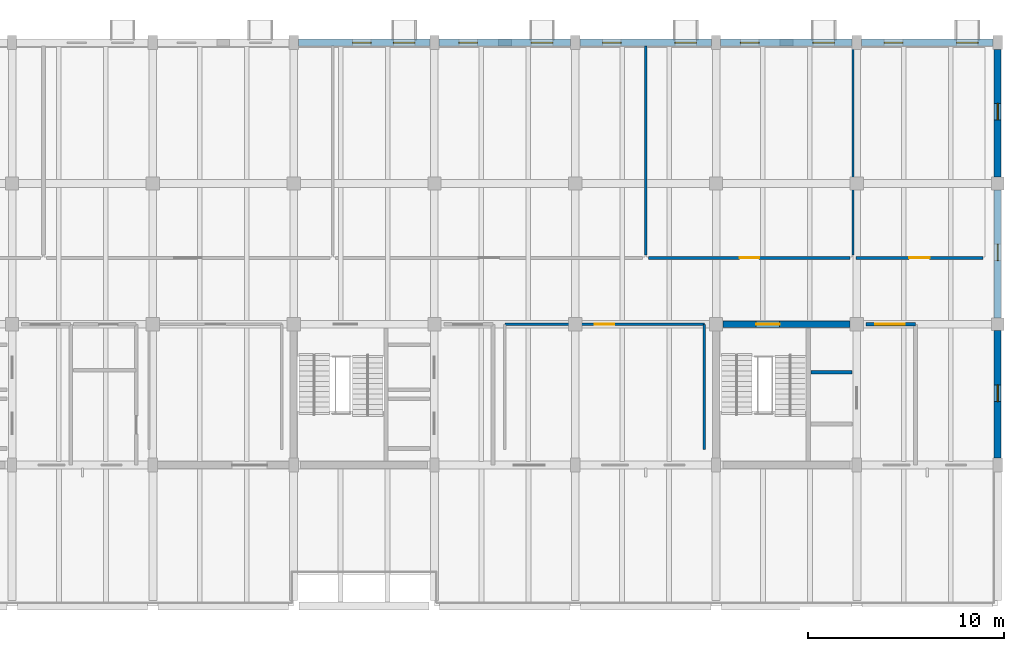
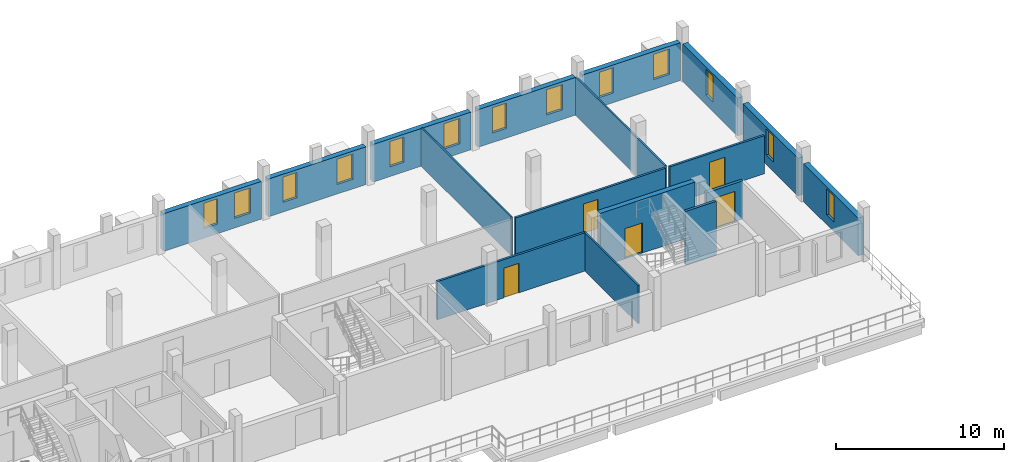
# One storey, part 11 of 14: 17 walls, 13 windows, 5 doors, 18 openings.
"""IFC4 building model written with IfcOpenShell, lengths in metres."""

from ifc_helpers import new_model, si_unit, direction, frame, frame_2d, origin, place, context, subcontext, project, spatial, rectangle, extrude, material, layer, layer_set, type_object, element, fill, save


model = new_model("IFC4")

# Units and contexts
model_context = context("Model", 3, precision=1e-05, world=origin(), true_north=direction((0.0, 1.0)))
body_context = subcontext(model_context, "Body", "Model", "MODEL_VIEW")
ifc_project = project(units=[si_unit("LENGTHUNIT", "METRE"), si_unit("AREAUNIT", "SQUARE_METRE"), si_unit("VOLUMEUNIT", "CUBIC_METRE"), si_unit("PLANEANGLEUNIT", "RADIAN"), si_unit("MASSUNIT", "GRAM", prefix="KILO")], contexts=[model_context])

# Site, building, storey
site_placement = place(None, origin())
site = spatial("IfcSite", under=ifc_project, at=site_placement, CompositionType="ELEMENT")
building_placement = place(site_placement, origin())
building = spatial("IfcBuilding", under=site, at=building_placement, Name="Qiaolan Assembly House", CompositionType="ELEMENT")
storey_placement = place(building_placement, frame((0.0, 0.0, 22.5)))
storey = spatial("IfcBuildingStorey", under=building, at=storey_placement, Name="L05", CompositionType="ELEMENT", Elevation=22.5)

# Wall, opening, door
ifc_material_1 = material(Name="Concrete C40/50", Category="concrete")
ifc_layer_1 = layer(ifc_material_1, 0.35009765625)
ifc_layer_set_1 = layer_set([ifc_layer_1], Name="Concrete C40/50")
wall_type_1 = type_object("IfcWallType", Name="WAL-CORE-350", PredefinedType="SHEAR", material=ifc_layer_set_1)
wall_1_placement = place(storey_placement, frame((93.25, 100.800048828125, 0.0), z_axis=(0.0, 0.0, 1.0), x_axis=(-1.0, 0.0, 0.0)))
wall_1 = element("IfcWall", 1, at=wall_1_placement, inside=storey, type_object=wall_type_1, Name="CW-350 shear core wall CORE-G N L05", PredefinedType="SHEAR", context=body_context, shape_type="SweptSolid", body=[
    extrude(rectangle(XDim=6.5, YDim=0.35009765625, at=frame_2d((3.25, 0.0))), origin(), (0.0, 0.0, 1.0), 3.89990234375),
])
opening_1_placement = place(wall_1_placement, frame((3.60009765625, 0.0, 0.0)))
opening_1 = element("IfcOpeningElement", 2, at=opening_1_placement, cuts=wall_1, Name="Opening FD-065", PredefinedType="OPENING", context=body_context, shape_type="SweptSolid", body=[
    extrude(rectangle(XDim=1.199951171875, YDim=2.199951171875, at=frame_2d((0.60009765625, 1.10009765625))), frame((0.0, 0.18505859375, 0.0), z_axis=(0.0, -1.0, 0.0), x_axis=(1.0, 0.0, 0.0)), (0.0, 0.0, 1.0), 0.3701171875),
])
ifc_material_2 = material(Name="Steel Q355B", Category="steel")
door_type_1 = type_object("IfcDoorType", Name="DOR-FIRE-FD90-1200", OperationType="NOTDEFINED", PredefinedType="DOOR", material=ifc_material_2)
door_1_placement = place(opening_1_placement, frame((1.199951171875, 0.0, 0.0), z_axis=(0.0, 0.0, 1.0), x_axis=(-1.0, 0.0, 0.0)))
door_1 = element("IfcDoor", 3, at=door_1_placement, inside=storey, type_object=door_type_1, Name="Stairwell fire door FD-065 (CORE-G L05)", OperationType="SINGLE_SWING_RIGHT", OverallHeight=2.199951171875, OverallWidth=1.199951171875, PredefinedType="DOOR", context=body_context, shape_type="SweptSolid", body=[
    extrude(rectangle(XDim=1.199951171875, YDim=2.199951171875, at=frame_2d((0.60009765625, 1.10009765625))), frame((0.0, 0.02490234375, 0.0), z_axis=(0.0, -1.0, 0.0), x_axis=(1.0, 0.0, 0.0)), (0.0, 0.0, 1.0), 0.050048828125),
])
fill(opening_1, door_1)

# Wall, openings, windows
ifc_material_3 = material(Name="Honed pale limestone", Category="masonry")
ifc_layer_2 = layer(ifc_material_3, 0.360107421875)
ifc_layer_set_2 = layer_set([ifc_layer_2], Name="Honed pale limestone")
wall_type_2 = type_object("IfcWallType", Name="WAL-EXT-LIMESTONE-360", PredefinedType="SOLIDWALL", material=ifc_layer_set_2)
wall_2_placement = place(storey_placement, frame((71.761962890625, 115.199951171875, 0.0), z_axis=(0.0, 0.0, 1.0), x_axis=(-1.0, 0.0, 0.0)))
wall_2 = element("IfcWall", 4, at=wall_2_placement, inside=storey, type_object=wall_type_2, Name="EW-360 NW North street wall L05 bay 5", PredefinedType="SOLIDWALL", context=body_context, shape_type="SweptSolid", body=[
    extrude(rectangle(XDim=6.723876953125, YDim=0.360107421875, at=frame_2d((3.36181640625, 0.0))), origin(), (0.0, 0.0, 1.0), 2.739990234375),
])
opening_2_placement = place(wall_2_placement, frame((0.761962890625, 0.0, 0.699951171875)))
opening_2 = element("IfcOpeningElement", 5, at=opening_2_placement, cuts=wall_2, Name="Opening WN-164", PredefinedType="OPENING", context=body_context, shape_type="SweptSolid", body=[
    extrude(rectangle(XDim=1.10009765625, YDim=1.840087890625, at=frame_2d((0.550048828125, 0.919921875))), frame((0.0, 0.18994140625, 0.0), z_axis=(0.0, -1.0, 0.0), x_axis=(1.0, 0.0, 0.0)), (0.0, 0.0, 1.0), 0.380126953125),
])
opening_3_placement = place(wall_2_placement, frame((3.001953125, 0.0, 0.699951171875)))
opening_3 = element("IfcOpeningElement", 6, at=opening_3_placement, cuts=wall_2, Name="Opening WN-165", PredefinedType="OPENING", context=body_context, shape_type="SweptSolid", body=[
    extrude(rectangle(XDim=0.949951171875, YDim=1.840087890625, at=frame_2d((0.47509765625, 0.919921875))), frame((0.0, 0.18994140625, 0.0), z_axis=(0.0, -1.0, 0.0), x_axis=(1.0, 0.0, 0.0)), (0.0, 0.0, 1.0), 0.380126953125),
])
ifc_material_4 = material(Name="Low-E double insulating glass", Category="glass")
window_type_1 = type_object("IfcWindowType", Name="WIN-BOX-1100x2350", PartitioningType="SINGLE_PANEL", PredefinedType="WINDOW", material=ifc_material_4)
window_1_placement = place(opening_2_placement, origin())
window_1 = element("IfcWindow", 7, at=window_1_placement, inside=storey, type_object=window_type_1, Name="WN-T11 window WN-164", OverallHeight=1.840087890625, OverallWidth=1.10009765625, PartitioningType="SINGLE_PANEL", PredefinedType="WINDOW", context=body_context, shape_type="SweptSolid", body=[
    extrude(rectangle(XDim=1.10009765625, YDim=1.840087890625, at=frame_2d((0.550048828125, 0.919921875))), frame((0.0, 0.030029296875, 0.0), z_axis=(0.0, -1.0, 0.0), x_axis=(1.0, 0.0, 0.0)), (0.0, 0.0, 1.0), 0.06005859375),
])
fill(opening_2, window_1)
window_type_2 = type_object("IfcWindowType", Name="WIN-PUNCH-950x2150", PartitioningType="SINGLE_PANEL", PredefinedType="WINDOW", material=ifc_material_4)
window_2_placement = place(opening_3_placement, origin())
window_2 = element("IfcWindow", 8, at=window_2_placement, inside=storey, type_object=window_type_2, Name="WN-T14 window WN-165", OverallHeight=1.840087890625, OverallWidth=0.949951171875, PartitioningType="SINGLE_PANEL", PredefinedType="WINDOW", context=body_context, shape_type="SweptSolid", body=[
    extrude(rectangle(XDim=0.949951171875, YDim=1.840087890625, at=frame_2d((0.47509765625, 0.919921875))), frame((0.0, 0.030029296875, 0.0), z_axis=(0.0, -1.0, 0.0), x_axis=(1.0, 0.0, 0.0)), (0.0, 0.0, 1.0), 0.06005859375),
])
fill(opening_3, window_2)

wall_3_placement = place(storey_placement, frame((78.9619140625, 115.199951171875, 0.0), z_axis=(0.0, 0.0, 1.0), x_axis=(-1.0, 0.0, 0.0)))
wall_3 = element("IfcWall", 9, at=wall_3_placement, inside=storey, type_object=wall_type_2, Name="EW-360 NW North street wall L05 bay 6", PredefinedType="SOLIDWALL", context=body_context, shape_type="SweptSolid", body=[
    extrude(rectangle(XDim=6.723876953125, YDim=0.360107421875, at=frame_2d((3.36181640625, 0.0))), origin(), (0.0, 0.0, 1.0), 2.739990234375),
])
opening_4_placement = place(wall_3_placement, frame((0.912109375, 0.0, 0.699951171875)))
opening_4 = element("IfcOpeningElement", 10, at=opening_4_placement, cuts=wall_3, Name="Opening WN-166", PredefinedType="OPENING", context=body_context, shape_type="SweptSolid", body=[
    extrude(rectangle(XDim=1.10009765625, YDim=1.840087890625, at=frame_2d((0.550048828125, 0.919921875))), frame((0.0, 0.18994140625, 0.0), z_axis=(0.0, -1.0, 0.0), x_axis=(1.0, 0.0, 0.0)), (0.0, 0.0, 1.0), 0.380126953125),
])
opening_5_placement = place(wall_3_placement, frame((4.761962890625, 0.0, 0.699951171875)))
opening_5 = element("IfcOpeningElement", 11, at=opening_5_placement, cuts=wall_3, Name="Opening WN-167", PredefinedType="OPENING", context=body_context, shape_type="SweptSolid", body=[
    extrude(rectangle(XDim=0.949951171875, YDim=1.840087890625, at=frame_2d((0.47509765625, 0.919921875))), frame((0.0, 0.18994140625, 0.0), z_axis=(0.0, -1.0, 0.0), x_axis=(1.0, 0.0, 0.0)), (0.0, 0.0, 1.0), 0.380126953125),
])
window_3_placement = place(opening_4_placement, origin())
window_3 = element("IfcWindow", 12, at=window_3_placement, inside=storey, type_object=window_type_1, Name="WN-T11 window WN-166", OverallHeight=1.840087890625, OverallWidth=1.10009765625, PartitioningType="SINGLE_PANEL", PredefinedType="WINDOW", context=body_context, shape_type="SweptSolid", body=[
    extrude(rectangle(XDim=1.10009765625, YDim=1.840087890625, at=frame_2d((0.550048828125, 0.919921875))), frame((0.0, 0.030029296875, 0.0), z_axis=(0.0, -1.0, 0.0), x_axis=(1.0, 0.0, 0.0)), (0.0, 0.0, 1.0), 0.06005859375),
])
fill(opening_4, window_3)
window_4_placement = place(opening_5_placement, origin())
window_4 = element("IfcWindow", 13, at=window_4_placement, inside=storey, type_object=window_type_2, Name="WN-T14 window WN-167", OverallHeight=1.840087890625, OverallWidth=0.949951171875, PartitioningType="SINGLE_PANEL", PredefinedType="WINDOW", context=body_context, shape_type="SweptSolid", body=[
    extrude(rectangle(XDim=0.949951171875, YDim=1.840087890625, at=frame_2d((0.47509765625, 0.919921875))), frame((0.0, 0.030029296875, 0.0), z_axis=(0.0, -1.0, 0.0), x_axis=(1.0, 0.0, 0.0)), (0.0, 0.0, 1.0), 0.06005859375),
])
fill(opening_5, window_4)

wall_4_placement = place(storey_placement, frame((86.162109375, 115.199951171875, 0.0), z_axis=(0.0, 0.0, 1.0), x_axis=(-1.0, 0.0, 0.0)))
wall_4 = element("IfcWall", 14, at=wall_4_placement, inside=storey, type_object=wall_type_2, Name="EW-360 NW North street wall L05 bay 7", PredefinedType="SOLIDWALL", context=body_context, shape_type="SweptSolid", body=[
    extrude(rectangle(XDim=6.72412109375, YDim=0.360107421875, at=frame_2d((3.362060546875, 0.0))), origin(), (0.0, 0.0, 1.0), 2.739990234375),
])
opening_6_placement = place(wall_4_placement, frame((0.761962890625, 0.0, 0.699951171875)))
opening_6 = element("IfcOpeningElement", 15, at=opening_6_placement, cuts=wall_4, Name="Opening WN-168", PredefinedType="OPENING", context=body_context, shape_type="SweptSolid", body=[
    extrude(rectangle(XDim=1.10009765625, YDim=1.840087890625, at=frame_2d((0.550048828125, 0.919921875))), frame((0.0, 0.18994140625, 0.0), z_axis=(0.0, -1.0, 0.0), x_axis=(1.0, 0.0, 0.0)), (0.0, 0.0, 1.0), 0.380126953125),
])
opening_7_placement = place(wall_4_placement, frame((4.612060546875, 0.0, 0.699951171875)))
opening_7 = element("IfcOpeningElement", 16, at=opening_7_placement, cuts=wall_4, Name="Opening WN-169", PredefinedType="OPENING", context=body_context, shape_type="SweptSolid", body=[
    extrude(rectangle(XDim=0.949951171875, YDim=1.840087890625, at=frame_2d((0.47509765625, 0.919921875))), frame((0.0, 0.18994140625, 0.0), z_axis=(0.0, -1.0, 0.0), x_axis=(1.0, 0.0, 0.0)), (0.0, 0.0, 1.0), 0.380126953125),
])
window_5_placement = place(opening_6_placement, origin())
window_5 = element("IfcWindow", 17, at=window_5_placement, inside=storey, type_object=window_type_1, Name="WN-T11 window WN-168", OverallHeight=1.840087890625, OverallWidth=1.10009765625, PartitioningType="SINGLE_PANEL", PredefinedType="WINDOW", context=body_context, shape_type="SweptSolid", body=[
    extrude(rectangle(XDim=1.10009765625, YDim=1.840087890625, at=frame_2d((0.550048828125, 0.919921875))), frame((0.0, 0.030029296875, 0.0), z_axis=(0.0, -1.0, 0.0), x_axis=(1.0, 0.0, 0.0)), (0.0, 0.0, 1.0), 0.06005859375),
])
fill(opening_6, window_5)
window_6_placement = place(opening_7_placement, origin())
window_6 = element("IfcWindow", 18, at=window_6_placement, inside=storey, type_object=window_type_2, Name="WN-T14 window WN-169", OverallHeight=1.840087890625, OverallWidth=0.949951171875, PartitioningType="SINGLE_PANEL", PredefinedType="WINDOW", context=body_context, shape_type="SweptSolid", body=[
    extrude(rectangle(XDim=0.949951171875, YDim=1.840087890625, at=frame_2d((0.47509765625, 0.919921875))), frame((0.0, 0.030029296875, 0.0), z_axis=(0.0, -1.0, 0.0), x_axis=(1.0, 0.0, 0.0)), (0.0, 0.0, 1.0), 0.06005859375),
])
fill(opening_7, window_6)

wall_5_placement = place(storey_placement, frame((93.362060546875, 115.199951171875, 0.0), z_axis=(0.0, 0.0, 1.0), x_axis=(-1.0, 0.0, 0.0)))
wall_5 = element("IfcWall", 19, at=wall_5_placement, inside=storey, type_object=wall_type_2, Name="EW-360 NW North street wall L05 bay 8", PredefinedType="SOLIDWALL", context=body_context, shape_type="SweptSolid", body=[
    extrude(rectangle(XDim=6.72412109375, YDim=0.360107421875, at=frame_2d((3.362060546875, 0.0))), origin(), (0.0, 0.0, 1.0), 2.739990234375),
])
opening_8_placement = place(wall_5_placement, frame((0.912109375, 0.0, 0.699951171875)))
opening_8 = element("IfcOpeningElement", 20, at=opening_8_placement, cuts=wall_5, Name="Opening WN-170", PredefinedType="OPENING", context=body_context, shape_type="SweptSolid", body=[
    extrude(rectangle(XDim=1.10009765625, YDim=1.840087890625, at=frame_2d((0.550048828125, 0.919921875))), frame((0.0, 0.18994140625, 0.0), z_axis=(0.0, -1.0, 0.0), x_axis=(1.0, 0.0, 0.0)), (0.0, 0.0, 1.0), 0.380126953125),
])
opening_9_placement = place(wall_5_placement, frame((4.761962890625, 0.0, 0.699951171875)))
opening_9 = element("IfcOpeningElement", 21, at=opening_9_placement, cuts=wall_5, Name="Opening WN-171", PredefinedType="OPENING", context=body_context, shape_type="SweptSolid", body=[
    extrude(rectangle(XDim=0.949951171875, YDim=1.840087890625, at=frame_2d((0.47509765625, 0.919921875))), frame((0.0, 0.18994140625, 0.0), z_axis=(0.0, -1.0, 0.0), x_axis=(1.0, 0.0, 0.0)), (0.0, 0.0, 1.0), 0.380126953125),
])
window_7_placement = place(opening_8_placement, origin())
window_7 = element("IfcWindow", 22, at=window_7_placement, inside=storey, type_object=window_type_1, Name="WN-T11 window WN-170", OverallHeight=1.840087890625, OverallWidth=1.10009765625, PartitioningType="SINGLE_PANEL", PredefinedType="WINDOW", context=body_context, shape_type="SweptSolid", body=[
    extrude(rectangle(XDim=1.10009765625, YDim=1.840087890625, at=frame_2d((0.550048828125, 0.919921875))), frame((0.0, 0.030029296875, 0.0), z_axis=(0.0, -1.0, 0.0), x_axis=(1.0, 0.0, 0.0)), (0.0, 0.0, 1.0), 0.06005859375),
])
fill(opening_8, window_7)
window_8_placement = place(opening_9_placement, origin())
window_8 = element("IfcWindow", 23, at=window_8_placement, inside=storey, type_object=window_type_2, Name="WN-T14 window WN-171", OverallHeight=1.840087890625, OverallWidth=0.949951171875, PartitioningType="SINGLE_PANEL", PredefinedType="WINDOW", context=body_context, shape_type="SweptSolid", body=[
    extrude(rectangle(XDim=0.949951171875, YDim=1.840087890625, at=frame_2d((0.47509765625, 0.919921875))), frame((0.0, 0.030029296875, 0.0), z_axis=(0.0, -1.0, 0.0), x_axis=(1.0, 0.0, 0.0)), (0.0, 0.0, 1.0), 0.06005859375),
])
fill(opening_9, window_8)

wall_6_placement = place(storey_placement, frame((100.56201171875, 115.199951171875, 0.0), z_axis=(0.0, 0.0, 1.0), x_axis=(-1.0, 0.0, 0.0)))
wall_6 = element("IfcWall", 24, at=wall_6_placement, inside=storey, type_object=wall_type_2, Name="EW-360 NW North street wall L05 bay 9", PredefinedType="SOLIDWALL", context=body_context, shape_type="SweptSolid", body=[
    extrude(rectangle(XDim=6.72412109375, YDim=0.360107421875, at=frame_2d((3.362060546875, 0.0))), origin(), (0.0, 0.0, 1.0), 2.739990234375),
])
opening_10_placement = place(wall_6_placement, frame((0.761962890625, 0.0, 0.699951171875)))
opening_10 = element("IfcOpeningElement", 25, at=opening_10_placement, cuts=wall_6, Name="Opening WN-172", PredefinedType="OPENING", context=body_context, shape_type="SweptSolid", body=[
    extrude(rectangle(XDim=1.10009765625, YDim=1.840087890625, at=frame_2d((0.550048828125, 0.919921875))), frame((0.0, 0.18994140625, 0.0), z_axis=(0.0, -1.0, 0.0), x_axis=(1.0, 0.0, 0.0)), (0.0, 0.0, 1.0), 0.380126953125),
])
opening_11_placement = place(wall_6_placement, frame((4.612060546875, 0.0, 0.699951171875)))
opening_11 = element("IfcOpeningElement", 26, at=opening_11_placement, cuts=wall_6, Name="Opening WN-173", PredefinedType="OPENING", context=body_context, shape_type="SweptSolid", body=[
    extrude(rectangle(XDim=0.949951171875, YDim=1.840087890625, at=frame_2d((0.47509765625, 0.919921875))), frame((0.0, 0.18994140625, 0.0), z_axis=(0.0, -1.0, 0.0), x_axis=(1.0, 0.0, 0.0)), (0.0, 0.0, 1.0), 0.380126953125),
])
window_9_placement = place(opening_10_placement, origin())
window_9 = element("IfcWindow", 27, at=window_9_placement, inside=storey, type_object=window_type_1, Name="WN-T11 window WN-172", OverallHeight=1.840087890625, OverallWidth=1.10009765625, PartitioningType="SINGLE_PANEL", PredefinedType="WINDOW", context=body_context, shape_type="SweptSolid", body=[
    extrude(rectangle(XDim=1.10009765625, YDim=1.840087890625, at=frame_2d((0.550048828125, 0.919921875))), frame((0.0, 0.030029296875, 0.0), z_axis=(0.0, -1.0, 0.0), x_axis=(1.0, 0.0, 0.0)), (0.0, 0.0, 1.0), 0.06005859375),
])
fill(opening_10, window_9)
window_10_placement = place(opening_11_placement, origin())
window_10 = element("IfcWindow", 28, at=window_10_placement, inside=storey, type_object=window_type_2, Name="WN-T14 window WN-173", OverallHeight=1.840087890625, OverallWidth=0.949951171875, PartitioningType="SINGLE_PANEL", PredefinedType="WINDOW", context=body_context, shape_type="SweptSolid", body=[
    extrude(rectangle(XDim=0.949951171875, YDim=1.840087890625, at=frame_2d((0.47509765625, 0.919921875))), frame((0.0, 0.030029296875, 0.0), z_axis=(0.0, -1.0, 0.0), x_axis=(1.0, 0.0, 0.0)), (0.0, 0.0, 1.0), 0.06005859375),
])
fill(opening_11, window_10)

# Wall, opening, window
wall_7_placement = place(storey_placement, frame((100.800048828125, 100.47705078125, 0.0), z_axis=(0.0, 0.0, 1.0), x_axis=(0.0, -1.0, 0.0)))
wall_7 = element("IfcWall", 29, at=wall_7_placement, inside=storey, type_object=wall_type_2, Name="NW East wall L05-1", PredefinedType="SOLIDWALL", context=body_context, shape_type="SweptSolid", body=[
    extrude(rectangle(XDim=6.524169921875, YDim=0.360107421875, at=frame_2d((3.26220703125, 0.0))), origin(), (0.0, 0.0, 1.0), 2.739990234375),
])
opening_12_placement = place(wall_7_placement, frame((2.777099609375, 0.0, 0.699951171875)))
opening_12 = element("IfcOpeningElement", 30, at=opening_12_placement, cuts=wall_7, Name="Opening WN-183", PredefinedType="OPENING", context=body_context, shape_type="SweptSolid", body=[
    extrude(rectangle(XDim=0.85009765625, YDim=1.889892578125, at=frame_2d((0.425048828125, 0.94482421875))), frame((0.0, 0.18994140625, 0.0), z_axis=(0.0, -1.0, 0.0), x_axis=(1.0, 0.0, 0.0)), (0.0, 0.0, 1.0), 0.380126953125),
])
window_type_3 = type_object("IfcWindowType", Name="WIN-END-850x2200", PartitioningType="SINGLE_PANEL", PredefinedType="WINDOW", material=ifc_material_4)
window_11_placement = place(opening_12_placement, origin())
window_11 = element("IfcWindow", 31, at=window_11_placement, inside=storey, type_object=window_type_3, Name="NW East window WN-183", OverallHeight=1.889892578125, OverallWidth=0.85009765625, PartitioningType="SINGLE_PANEL", PredefinedType="WINDOW", context=body_context, shape_type="SweptSolid", body=[
    extrude(rectangle(XDim=0.85009765625, YDim=1.889892578125, at=frame_2d((0.425048828125, 0.94482421875))), frame((0.0, 0.030029296875, 0.0), z_axis=(0.0, -1.0, 0.0), x_axis=(1.0, 0.0, 0.0)), (0.0, 0.0, 1.0), 0.06005859375),
])
fill(opening_12, window_11)

wall_8_placement = place(storey_placement, frame((100.800048828125, 107.677001953125, 0.0), z_axis=(0.0, 0.0, 1.0), x_axis=(0.0, -1.0, 0.0)))
wall_8 = element("IfcWall", 32, at=wall_8_placement, inside=storey, type_object=wall_type_2, Name="NW East wall L05-2", PredefinedType="SOLIDWALL", context=body_context, shape_type="SweptSolid", body=[
    extrude(rectangle(XDim=6.553955078125, YDim=0.360107421875, at=frame_2d((3.27685546875, 0.0))), origin(), (0.0, 0.0, 1.0), 2.739990234375),
])
opening_13_placement = place(wall_8_placement, frame((2.777099609375, 0.0, 0.699951171875)))
opening_13 = element("IfcOpeningElement", 33, at=opening_13_placement, cuts=wall_8, Name="Opening WN-185", PredefinedType="OPENING", context=body_context, shape_type="SweptSolid", body=[
    extrude(rectangle(XDim=0.85009765625, YDim=1.889892578125, at=frame_2d((0.425048828125, 0.94482421875))), frame((0.0, 0.18994140625, 0.0), z_axis=(0.0, -1.0, 0.0), x_axis=(1.0, 0.0, 0.0)), (0.0, 0.0, 1.0), 0.380126953125),
])
window_12_placement = place(opening_13_placement, origin())
window_12 = element("IfcWindow", 34, at=window_12_placement, inside=storey, type_object=window_type_3, Name="NW East window WN-185", OverallHeight=1.889892578125, OverallWidth=0.85009765625, PartitioningType="SINGLE_PANEL", PredefinedType="WINDOW", context=body_context, shape_type="SweptSolid", body=[
    extrude(rectangle(XDim=0.85009765625, YDim=1.889892578125, at=frame_2d((0.425048828125, 0.94482421875))), frame((0.0, 0.030029296875, 0.0), z_axis=(0.0, -1.0, 0.0), x_axis=(1.0, 0.0, 0.0)), (0.0, 0.0, 1.0), 0.06005859375),
])
fill(opening_13, window_12)

wall_9_placement = place(storey_placement, frame((100.800048828125, 114.846923828125, 0.0), z_axis=(0.0, 0.0, 1.0), x_axis=(0.0, -1.0, 0.0)))
wall_9 = element("IfcWall", 35, at=wall_9_placement, inside=storey, type_object=wall_type_2, Name="NW East wall L05-3", PredefinedType="SOLIDWALL", context=body_context, shape_type="SweptSolid", body=[
    extrude(rectangle(XDim=6.52392578125, YDim=0.360107421875, at=frame_2d((3.261962890625, 0.0))), origin(), (0.0, 0.0, 1.0), 2.739990234375),
])
opening_14_placement = place(wall_9_placement, frame((2.7470703125, 0.0, 0.699951171875)))
opening_14 = element("IfcOpeningElement", 36, at=opening_14_placement, cuts=wall_9, Name="Opening WN-187", PredefinedType="OPENING", context=body_context, shape_type="SweptSolid", body=[
    extrude(rectangle(XDim=0.85009765625, YDim=1.889892578125, at=frame_2d((0.425048828125, 0.94482421875))), frame((0.0, 0.18994140625, 0.0), z_axis=(0.0, -1.0, 0.0), x_axis=(1.0, 0.0, 0.0)), (0.0, 0.0, 1.0), 0.380126953125),
])
window_13_placement = place(opening_14_placement, origin())
window_13 = element("IfcWindow", 37, at=window_13_placement, inside=storey, type_object=window_type_3, Name="NW East window WN-187", OverallHeight=1.889892578125, OverallWidth=0.85009765625, PartitioningType="SINGLE_PANEL", PredefinedType="WINDOW", context=body_context, shape_type="SweptSolid", body=[
    extrude(rectangle(XDim=0.85009765625, YDim=1.889892578125, at=frame_2d((0.425048828125, 0.94482421875))), frame((0.0, 0.030029296875, 0.0), z_axis=(0.0, -1.0, 0.0), x_axis=(1.0, 0.0, 0.0)), (0.0, 0.0, 1.0), 0.06005859375),
])
fill(opening_14, window_13)

# Wall, opening, door
ifc_material_5 = material(Name="Concrete C35/45", Category="concrete")
ifc_layer_3 = layer(ifc_material_5, 0.199951171875)
ifc_layer_set_3 = layer_set([ifc_layer_3], Name="Concrete C35/45")
wall_type_3 = type_object("IfcWallType", Name="WAL-LOBBY-200", PredefinedType="PARTITIONING", material=ifc_layer_set_3)
wall_10_placement = place(storey_placement, frame((96.60009765625, 100.800048828125, 0.0), z_axis=(0.0, 0.0, 1.0), x_axis=(-1.0, 0.0, 0.0)))
wall_10 = element("IfcWall", 38, at=wall_10_placement, inside=storey, type_object=wall_type_3, Name="Firefighting lift lobby north wall CORE-G L05", PredefinedType="PARTITIONING", context=body_context, shape_type="SweptSolid", body=[
    extrude(rectangle(XDim=2.52001953125, YDim=0.199951171875, at=frame_2d((1.260009765625, 0.0))), origin(), (0.0, 0.0, 1.0), 2.780029296875),
])
opening_15_placement = place(wall_10_placement, frame((0.550048828125, 0.0, 0.0)))
opening_15 = element("IfcOpeningElement", 39, at=opening_15_placement, cuts=wall_10, Name="Opening FD-066", PredefinedType="OPENING", context=body_context, shape_type="SweptSolid", body=[
    extrude(rectangle(XDim=1.5, YDim=2.199951171875, at=frame_2d((0.75, 1.10009765625))), frame((0.0, 0.10986328125, 0.0), z_axis=(0.0, -1.0, 0.0), x_axis=(1.0, 0.0, 0.0)), (0.0, 0.0, 1.0), 0.219970703125),
])
ifc_material_6 = material(Name="Acoustic oak panelling")
door_type_2 = type_object("IfcDoorType", Name="DOR-LOBBY-FD60-1500", OperationType="DOUBLE_DOOR_SINGLE_SWING", PredefinedType="DOOR", material=ifc_material_6)
door_2_placement = place(opening_15_placement, frame((1.5, 0.0, 0.0), z_axis=(0.0, 0.0, 1.0), x_axis=(-1.0, 0.0, 0.0)))
door_2 = element("IfcDoor", 40, at=door_2_placement, inside=storey, type_object=door_type_2, Name="Lobby corridor fire door FD-066", OperationType="DOUBLE_DOOR_SINGLE_SWING", OverallHeight=2.199951171875, OverallWidth=1.5, PredefinedType="DOOR", context=body_context, shape_type="SweptSolid", body=[
    extrude(rectangle(XDim=1.5, YDim=2.199951171875, at=frame_2d((0.75, 1.10009765625))), frame((0.0, 0.02490234375, 0.0), z_axis=(0.0, -1.0, 0.0), x_axis=(1.0, 0.0, 0.0)), (0.0, 0.0, 1.0), 0.050048828125),
])
fill(opening_15, door_2)

# Walls
ifc_material_7 = material(Name="Gypsum plasterboard partition")
ifc_layer_4 = layer(ifc_material_7, 0.1201171875)
ifc_layer_set_4 = layer_set([ifc_layer_4], Name="Gypsum plasterboard partition")
wall_type_4 = type_object("IfcWallType", Name="WAL-PART-120", PredefinedType="PARTITIONING", material=ifc_layer_set_4)
for number, where, z_axis, x_axis, name in (
    (41, (82.800048828125, 104.35009765625, 0.0), (0.0, 0.0, 1.0), (0.0, 1.0, 0.0), "Terrace Reception & Breakout Salon demising wall"),
    (42, (93.39990234375, 104.35009765625, 0.0), (0.0, 0.0, 1.0), (0.0, 1.0, 0.0), "Staff Print & Supply Hub demising wall"),
):
    element("IfcWall", number, at=place(storey_placement, frame(where, z_axis=z_axis, x_axis=x_axis)), inside=storey, type_object=wall_type_4, Name=name, PredefinedType="PARTITIONING", context=body_context, shape_type="SweptSolid", body=[
        extrude(rectangle(XDim=10.669921875, YDim=0.1201171875, at=frame_2d((5.3349609375, 0.0))), origin(), (0.0, 0.0, 1.0), 2.780029296875),
    ])
wall_11_placement = place(storey_placement, frame((85.800048828125, 100.800048828125, 0.0), z_axis=(0.0, 0.0, 1.0), x_axis=(0.0, -1.0, 0.0)))
element("IfcWall", 43, at=wall_11_placement, inside=storey, type_object=wall_type_4, Name="Heritage Conservation Reference Studio east wall", PredefinedType="PARTITIONING", context=body_context, shape_type="SweptSolid", body=[
    extrude(rectangle(XDim=6.400146484375, YDim=0.1201171875, at=frame_2d((3.2001953125, 0.0))), origin(), (0.0, 0.0, 1.0), 2.780029296875),
])

# Wall, opening, door
ifc_layer_5 = layer(ifc_material_7, 0.14990234375)
ifc_layer_set_5 = layer_set([ifc_layer_5], Name="Gypsum plasterboard partition")
wall_type_5 = type_object("IfcWallType", Name="WAL-PART-150", PredefinedType="PARTITIONING", material=ifc_layer_set_5)
wall_12_placement = place(storey_placement, frame((82.949951171875, 104.199951171875, 0.0), z_axis=(0.0, 0.0, 1.0), x_axis=(1.0, 0.0, 0.0)))
wall_12 = element("IfcWall", 44, at=wall_12_placement, inside=storey, type_object=wall_type_5, Name="Terrace Reception & Breakout Salon corridor wall", PredefinedType="PARTITIONING", context=body_context, shape_type="SweptSolid", body=[
    extrude(rectangle(XDim=10.300048828125, YDim=0.14990234375, at=frame_2d((5.14990234375, 0.0))), origin(), (0.0, 0.0, 1.0), 2.780029296875),
])
opening_16_placement = place(wall_12_placement, frame((4.64990234375, 0.0, 0.0)))
opening_16 = element("IfcOpeningElement", 45, at=opening_16_placement, cuts=wall_12, Name="Opening ND-218", PredefinedType="OPENING", context=body_context, shape_type="SweptSolid", body=[
    extrude(rectangle(XDim=1.0, YDim=2.14990234375, at=frame_2d((0.5, 1.074951171875))), frame((0.0, 0.0849609375, 0.0), z_axis=(0.0, -1.0, 0.0), x_axis=(1.0, 0.0, 0.0)), (0.0, 0.0, 1.0), 0.169921875),
])
door_type_3 = type_object("IfcDoorType", Name="DOR-OFF-SGL-1000", OperationType="NOTDEFINED", PredefinedType="DOOR", material=ifc_material_6)
door_3_placement = place(opening_16_placement, origin())
door_3 = element("IfcDoor", 46, at=door_3_placement, inside=storey, type_object=door_type_3, Name="Terrace Reception & Breakout Salon door ND-218", OperationType="SINGLE_SWING_LEFT", OverallHeight=2.14990234375, OverallWidth=1.0, PredefinedType="DOOR", context=body_context, shape_type="SweptSolid", body=[
    extrude(rectangle(XDim=1.0, YDim=2.14990234375, at=frame_2d((0.5, 1.074951171875))), frame((0.0, 0.02490234375, 0.0), z_axis=(0.0, -1.0, 0.0), x_axis=(1.0, 0.0, 0.0)), (0.0, 0.0, 1.0), 0.050048828125),
])
fill(opening_16, door_3)

wall_13_placement = place(storey_placement, frame((93.550048828125, 104.199951171875, 0.0), z_axis=(0.0, 0.0, 1.0), x_axis=(1.0, 0.0, 0.0)))
wall_13 = element("IfcWall", 47, at=wall_13_placement, inside=storey, type_object=wall_type_5, Name="Staff Print & Supply Hub corridor wall", PredefinedType="PARTITIONING", context=body_context, shape_type="SweptSolid", body=[
    extrude(rectangle(XDim=6.5, YDim=0.14990234375, at=frame_2d((3.25, 0.0))), origin(), (0.0, 0.0, 1.0), 2.780029296875),
])
opening_17_placement = place(wall_13_placement, frame((2.72509765625, 0.0, 0.0)))
opening_17 = element("IfcOpeningElement", 48, at=opening_17_placement, cuts=wall_13, Name="Opening ND-219", PredefinedType="OPENING", context=body_context, shape_type="SweptSolid", body=[
    extrude(rectangle(XDim=1.050048828125, YDim=2.14990234375, at=frame_2d((0.52490234375, 1.074951171875))), frame((0.0, 0.0849609375, 0.0), z_axis=(0.0, -1.0, 0.0), x_axis=(1.0, 0.0, 0.0)), (0.0, 0.0, 1.0), 0.169921875),
])
door_type_4 = type_object("IfcDoorType", Name="DOR-OFF-LRG-1050", OperationType="NOTDEFINED", PredefinedType="DOOR", material=ifc_material_6)
door_4_placement = place(opening_17_placement, origin())
door_4 = element("IfcDoor", 49, at=door_4_placement, inside=storey, type_object=door_type_4, Name="Staff Print & Supply Hub door ND-219", OperationType="SINGLE_SWING_RIGHT", OverallHeight=2.14990234375, OverallWidth=1.050048828125, PredefinedType="DOOR", context=body_context, shape_type="SweptSolid", body=[
    extrude(rectangle(XDim=1.050048828125, YDim=2.14990234375, at=frame_2d((0.52490234375, 1.074951171875))), frame((0.0, 0.02490234375, 0.0), z_axis=(0.0, -1.0, 0.0), x_axis=(1.0, 0.0, 0.0)), (0.0, 0.0, 1.0), 0.050048828125),
])
fill(opening_17, door_4)

wall_14_placement = place(storey_placement, frame((85.800048828125, 100.800048828125, 0.0), z_axis=(0.0, 0.0, 1.0), x_axis=(-1.0, 0.0, 0.0)))
wall_14 = element("IfcWall", 50, at=wall_14_placement, inside=storey, type_object=wall_type_5, Name="Heritage Conservation Reference Studio corridor wall", PredefinedType="PARTITIONING", context=body_context, shape_type="SweptSolid", body=[
    extrude(rectangle(XDim=10.199951171875, YDim=0.14990234375, at=frame_2d((5.10009765625, 0.0))), origin(), (0.0, 0.0, 1.0), 2.780029296875),
])
opening_18_placement = place(wall_14_placement, frame((4.60009765625, 0.0, 0.0)))
opening_18 = element("IfcOpeningElement", 51, at=opening_18_placement, cuts=wall_14, Name="Opening SD-221", PredefinedType="OPENING", context=body_context, shape_type="SweptSolid", body=[
    extrude(rectangle(XDim=1.0, YDim=2.14990234375, at=frame_2d((0.5, 1.074951171875))), frame((0.0, 0.0849609375, 0.0), z_axis=(0.0, -1.0, 0.0), x_axis=(1.0, 0.0, 0.0)), (0.0, 0.0, 1.0), 0.169921875),
])
door_5_placement = place(opening_18_placement, origin())
door_5 = element("IfcDoor", 52, at=door_5_placement, inside=storey, type_object=door_type_3, Name="Heritage Conservation Reference Studio door SD-221", OperationType="SINGLE_SWING_RIGHT", OverallHeight=2.14990234375, OverallWidth=1.0, PredefinedType="DOOR", context=body_context, shape_type="SweptSolid", body=[
    extrude(rectangle(XDim=1.0, YDim=2.14990234375, at=frame_2d((0.5, 1.074951171875))), frame((0.0, 0.02490234375, 0.0), z_axis=(0.0, -1.0, 0.0), x_axis=(1.0, 0.0, 0.0)), (0.0, 0.0, 1.0), 0.050048828125),
])
fill(opening_18, door_5)

# Wall
ifc_layer_6 = layer(ifc_material_5, 0.18505859375)
ifc_layer_set_6 = layer_set([ifc_layer_6], Name="Concrete C35/45")
wall_type_6 = type_object("IfcWallType", Name="WAL-SHAFT-200", PredefinedType="PARTITIONING", material=ifc_layer_set_6)
wall_15_placement = place(storey_placement, frame((91.25, 98.35009765625, 0.0), z_axis=(0.0, 0.0, 1.0), x_axis=(1.0, 0.0, 0.0)))
element("IfcWall", 53, at=wall_15_placement, inside=storey, type_object=wall_type_6, Name="SW-200 lift shaft wall LF-05 L05 DIVN", PredefinedType="PARTITIONING", context=body_context, shape_type="SweptSolid", body=[
    extrude(rectangle(XDim=2.10009765625, YDim=0.18505859375, at=frame_2d((1.050048828125, 0.0))), origin(), (0.0, 0.0, 1.0), 3.89990234375),
])

save(model, "model.ifc")
